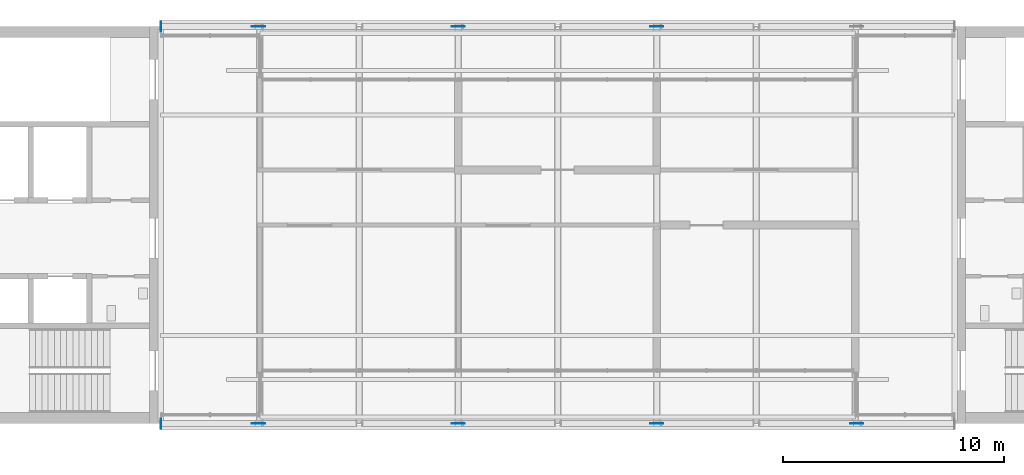
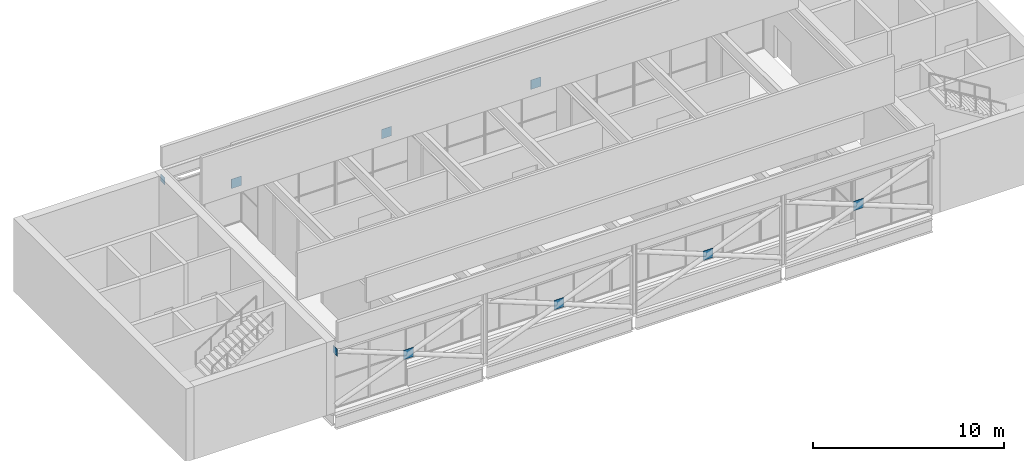
# One storey, part 8 of 13: 9 plates.
"""IFC4 building model written with IfcOpenShell, lengths in metres."""

from ifc_helpers import new_model, si_unit, direction, frame, origin, origin_2d, place, context, subcontext, project, spatial, rectangle, extrude, material, layer, layer_set, type_object, element, save


model = new_model("IFC4")

# Units and contexts
model_context = context("Model", 3, precision=1e-05, world=origin(), true_north=direction((0.0, 1.0)))
body_context = subcontext(model_context, "Body", "Model", "MODEL_VIEW")
ifc_project = project(units=[si_unit("LENGTHUNIT", "METRE"), si_unit("AREAUNIT", "SQUARE_METRE"), si_unit("VOLUMEUNIT", "CUBIC_METRE"), si_unit("PLANEANGLEUNIT", "RADIAN"), si_unit("MASSUNIT", "GRAM", prefix="KILO")], contexts=[model_context])

# Site, building, storey
site_placement = place(None, origin())
site = spatial("IfcSite", under=ifc_project, at=site_placement, CompositionType="ELEMENT")
building_placement = place(site_placement, origin())
building = spatial("IfcBuilding", under=site, at=building_placement, Name="Corbel Yard City Hall", CompositionType="ELEMENT")
storey_placement = place(building_placement, frame((0.0, 0.0, 71.199951171875)))
storey = spatial("IfcBuildingStorey", under=building, at=storey_placement, Name="L17", CompositionType="ELEMENT", Elevation=71.199951171875)

# Plates
ifc_material = material(Name="Steel Grade 300 (300 MPa yield)", Category="steel")
ifc_layer_1 = layer(ifc_material, 0.02001953125)
ifc_layer_set_1 = layer_set([ifc_layer_1], Name="Steel Grade 300 (300 MPa yield)")
plate_type_1 = type_object("IfcPlateType", Name="Crown brace crossing gusset plate", PredefinedType="NOTDEFINED", material=ifc_layer_set_1)
for number, where, z_axis, x_axis, name in (
    (1, (13.43505859375, 99.0, 1.930908203125), (0.0, 0.0, 1.0), (1.0, 0.0, 0.0), "Crown brace crossing gusset plate EP4"),
    (2, (22.5, 99.0, 1.930908203125), (0.0, 0.0, 1.0), (1.0, 0.0, 0.0), "Crown brace crossing gusset plate EP4"),
    (3, (31.5, 99.0, 1.930908203125), (0.0, 0.0, 1.0), (1.0, 0.0, 0.0), "Crown brace crossing gusset plate EP4"),
    (4, (40.56494140625, 99.0, 1.930908203125), (0.0, 0.0, 1.0), (1.0, 0.0, 0.0), "Crown brace crossing gusset plate EP4"),
    (5, (13.43505859375, 117.0, 1.930908203125), (0.0, 0.0, 1.0), (1.0, 0.0, 0.0), "Crown brace crossing gusset plate EP4"),
    (6, (22.5, 117.0, 1.930908203125), (0.0, 0.0, 1.0), (1.0, 0.0, 0.0), "Crown brace crossing gusset plate EP4"),
    (7, (31.5, 117.0, 1.930908203125), (0.0, 0.0, 1.0), (1.0, 0.0, 0.0), "Crown brace crossing gusset plate EP4"),
):
    element("IfcPlate", number, at=place(storey_placement, frame(where, z_axis=z_axis, x_axis=x_axis)), inside=storey, type_object=plate_type_1, Name=name, PredefinedType="NOTDEFINED", context=body_context, shape_type="SweptSolid", body=[
        extrude(rectangle(XDim=0.60009765625, YDim=0.02001953125, at=origin_2d()), origin(), (0.0, 0.0, 1.0), 0.60009765625),
    ])
ifc_layer_2 = layer(ifc_material, 0.02001953125)
ifc_layer_set_2 = layer_set([ifc_layer_2], Name="Steel Grade 300 (300 MPa yield)")
plate_type_2 = type_object("IfcPlateType", Name="Crown brace wall gusset plate", PredefinedType="NOTDEFINED", material=ifc_layer_set_2)
for number, where, z_axis, x_axis, name in (
    (8, (9.010009765625, 99.0, 3.7373046875), (0.0, 0.0, 1.0), (0.0, 1.0, 0.0), "Crown brace wall gusset plate EP5"),
    (9, (9.010009765625, 117.0, 3.7373046875), (0.0, 0.0, 1.0), (0.0, 1.0, 0.0), "Crown brace wall gusset plate EP5"),
):
    element("IfcPlate", number, at=place(storey_placement, frame(where, z_axis=z_axis, x_axis=x_axis)), inside=storey, type_object=plate_type_2, Name=name, PredefinedType="NOTDEFINED", context=body_context, shape_type="SweptSolid", body=[
        extrude(rectangle(XDim=0.449951171875, YDim=0.02001953125, at=origin_2d()), origin(), (0.0, 0.0, 1.0), 0.449951171875),
    ])

save(model, "model.ifc")
